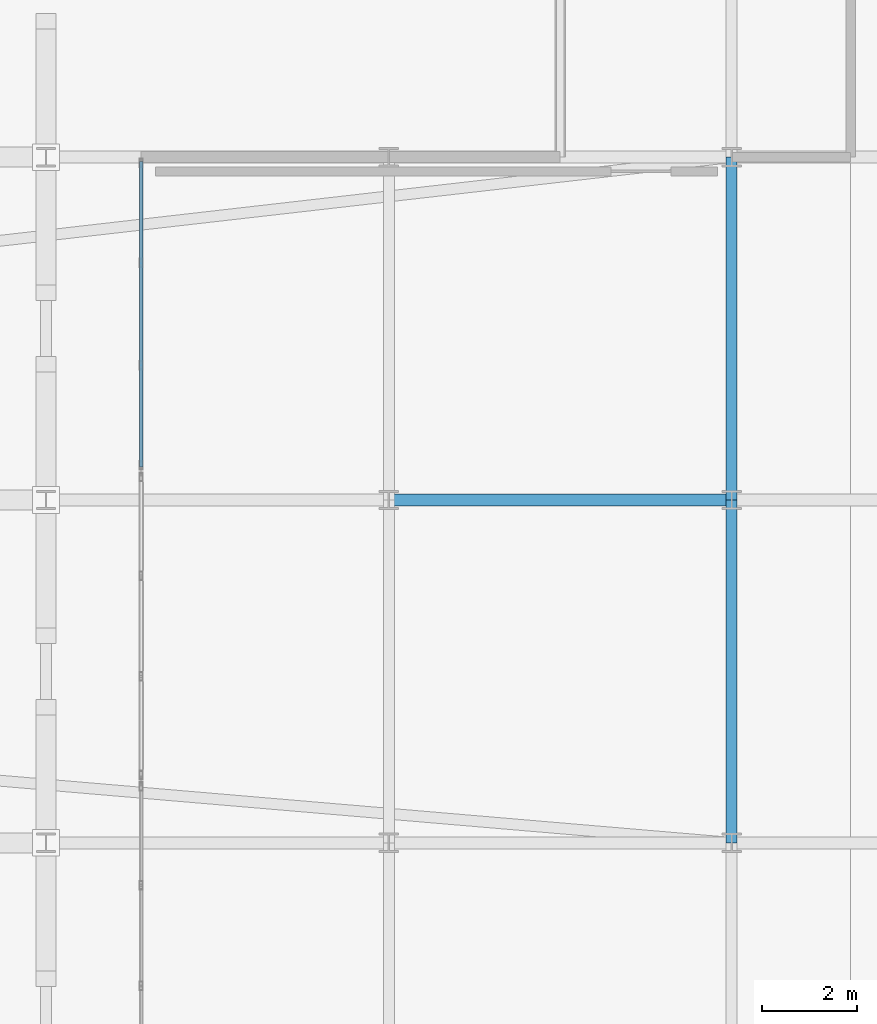
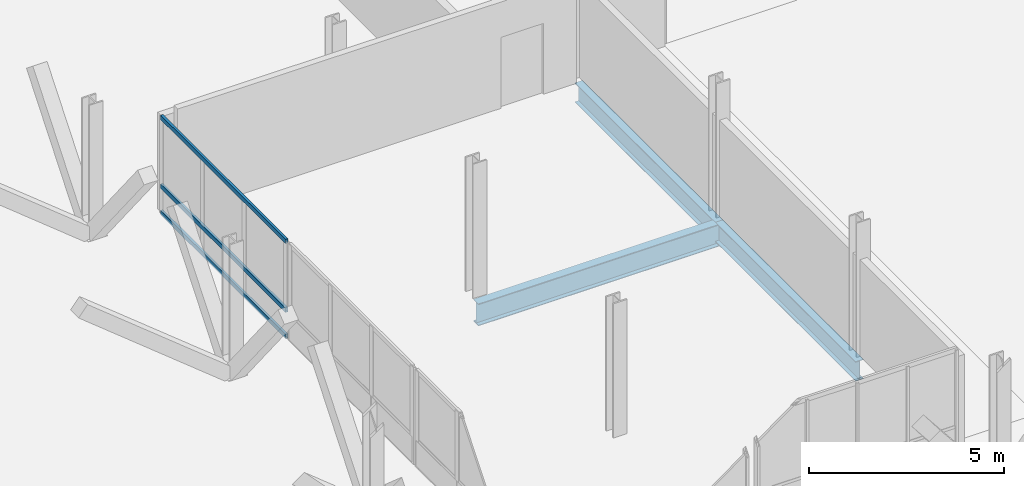
# One storey, part 16 of 102: 3 beams, 3 members, 1 element without a shape of its own.
"""IFC4 building model written with IfcOpenShell, lengths in metres."""

import ifcopenshell
import ifcopenshell.guid

model = None  # the IFC model being written
_history = None  # IfcOwnerHistory: only IFC2X3 demands one
_inside = {}  # id of a spatial element -> (the spatial element, [elements in it])
_under = {}  # id of a project, library or spatial element -> (it, [spatial elements below it])
_declared = {}  # id of a project -> (the project, [libraries it declares])
_typed = {}  # id of a type object -> (the type object, [elements of that type])
_made_of = {}  # id of a material, layer set ... -> (it, [elements and type objects made of it])


def new_model(schema):
    """Start an empty IFC model of exactly this schema.

    Asked for "IFC4X3", IfcOpenShell would pick the latest addendum, in which some entities
    have other attributes; the version numbers below select the first issue.
    IFC2X3 requires an IfcOwnerHistory on every rooted entity: one is made here for all.
    """
    global model, _history
    if schema == "IFC4X3":
        model = ifcopenshell.file(schema_version=(4, 3, 0, 0))
    else:
        model = ifcopenshell.file(schema=schema)
    _inside.clear()
    _under.clear()
    _declared.clear()
    _typed.clear()
    _made_of.clear()
    _history = None
    if model.schema == "IFC2X3":
        org = make("IfcOrganization", Name="unknown")
        user = make(
            "IfcPersonAndOrganization",
            ThePerson=make("IfcPerson", FamilyName="unknown"),
            TheOrganization=org,
        )
        app = make(
            "IfcApplication",
            ApplicationDeveloper=org,
            Version="unknown",
            ApplicationFullName="unknown",
            ApplicationIdentifier="unknown",
        )
        _history = make(
            "IfcOwnerHistory",
            OwningUser=user,
            OwningApplication=app,
            ChangeAction="ADDED",
            CreationDate=0,
        )
    return model


def make(cls, **values):
    """One entity of the class cls with the attributes given. An attribute that is None is left unset."""
    return model.create_entity(
        cls, **{name: value for name, value in values.items() if value is not None}
    )


def rooted(cls, **values):
    """An entity with a GlobalId (a new one), such as an element, a storey or a relation."""
    return make(cls, GlobalId=ifcopenshell.guid.new(), OwnerHistory=_history, **values)


def si_unit(unit_type, name, prefix=None):
    """IfcSIUnit, for example si_unit("LENGTHUNIT", "METRE", prefix="MILLI")."""
    return make("IfcSIUnit", UnitType=unit_type, Prefix=prefix, Name=name)


def assignment(units):
    """IfcUnitAssignment: the units of a project."""
    return None if units is None else make("IfcUnitAssignment", Units=units)


def point(xyz):
    """IfcCartesianPoint."""
    return None if xyz is None else make("IfcCartesianPoint", Coordinates=xyz)


def direction(xyz):
    """IfcDirection."""
    return None if xyz is None else make("IfcDirection", DirectionRatios=xyz)


def frame(location, z_axis=None, x_axis=None):
    """IfcAxis2Placement3D, a coordinate frame: its origin and axes. An axis left out is left unset."""
    return make(
        "IfcAxis2Placement3D",
        Location=point(location),
        Axis=direction(z_axis),
        RefDirection=direction(x_axis),
    )


def frame_2d(location, x_axis=None):
    """IfcAxis2Placement2D, a coordinate frame in the plane: its origin and x axis."""
    return make(
        "IfcAxis2Placement2D", Location=point(location), RefDirection=direction(x_axis)
    )


def origin():
    """The frame at (0, 0, 0) with its axes left unset."""
    return frame((0.0, 0.0, 0.0))


def origin_2d():
    """The frame at (0, 0) in the plane with its x axis left unset."""
    return frame_2d((0.0, 0.0))


def place(relative_to, where):
    """IfcLocalPlacement: puts the frame where relative to a parent placement (None: the world)."""
    return make(
        "IfcLocalPlacement", PlacementRelTo=relative_to, RelativePlacement=where
    )


def context(
    kind, dimensions, precision=None, world=None, true_north=None, identifier=None
):
    """IfcGeometricRepresentationContext, for example the 3D "Model" context."""
    return make(
        "IfcGeometricRepresentationContext",
        ContextIdentifier=identifier,
        ContextType=kind,
        CoordinateSpaceDimension=dimensions,
        Precision=precision,
        WorldCoordinateSystem=world,
        TrueNorth=true_north,
    )


def subcontext(parent, identifier, kind, view, scale=None):
    """IfcGeometricRepresentationSubContext, for example "Body" below "Model"."""
    return make(
        "IfcGeometricRepresentationSubContext",
        ContextIdentifier=identifier,
        ContextType=kind,
        ParentContext=parent,
        TargetScale=scale,
        TargetView=view,
    )


def project(units=None, contexts=None):
    """IfcProject with its units and contexts."""
    return rooted(
        "IfcProject",
        Name="project",
        RepresentationContexts=contexts,
        UnitsInContext=assignment(units),
    )


def spatial(cls, under=None, at=None, **own):
    """A site, building, storey or space (cls), placed at a placement, below another one or the project."""
    s = rooted(cls, ObjectPlacement=at, **own)
    if under is not None:
        _under.setdefault(under.id(), (under, []))[1].append(s)
    return s


def profile(cls, at=None, kind="AREA", **sizes):
    """A parametric profile (cls). Its sizes go by their IFC names, for example OverallWidth=200.0."""
    return make(cls, ProfileType=kind, Position=at, **sizes)


def hollow_rectangle(**sizes):
    """IfcRectangleHollowProfileDef."""
    return profile("IfcRectangleHollowProfileDef", **sizes)


def i_section(**sizes):
    """IfcIShapeProfileDef."""
    return profile("IfcIShapeProfileDef", **sizes)


def extrude(swept, where, along, depth):
    """IfcExtrudedAreaSolid: the profile swept, set in the frame where, extruded along a direction by depth."""
    return make(
        "IfcExtrudedAreaSolid",
        SweptArea=swept,
        Position=where,
        ExtrudedDirection=direction(along),
        Depth=depth,
    )


def shape(context_of_items, identifier, shape_type, items):
    """IfcShapeRepresentation: the items that make up one representation, for example the "Body"."""
    return make(
        "IfcShapeRepresentation",
        ContextOfItems=context_of_items,
        RepresentationIdentifier=identifier,
        RepresentationType=shape_type,
        Items=items,
    )


def material(Name=None, Category=None):
    """IfcMaterial."""
    return make("IfcMaterial", Name=Name, Category=Category)


def material_profile(
    of_material, cross_section, Name=None, Category=None, Priority=None
):
    """IfcMaterialProfile: a cross section and its material."""
    return make(
        "IfcMaterialProfile",
        Name=Name,
        Material=of_material,
        Profile=cross_section,
        Priority=Priority,
        Category=Category,
    )


def profile_set(profiles, Name=None, composite=None):
    """IfcMaterialProfileSet."""
    return make(
        "IfcMaterialProfileSet",
        Name=Name,
        MaterialProfiles=profiles,
        CompositeProfile=composite,
    )


def made_of(thing, what):
    """Note that an element or type object is made of a material, layer set ...; save() writes the relation."""
    if what is not None:
        _made_of.setdefault(what.id(), (what, []))[1].append(thing)
    return thing


def type_object(cls, material=None, **own):
    """A type object (cls), such as IfcWallType, which elements share."""
    return made_of(rooted(cls, **own), material)


def element(
    cls,
    number,
    at=None,
    inside=None,
    cuts=None,
    type_object=None,
    material=None,
    context=None,
    identifier="Body",
    shape_type=None,
    held_by="IfcProductDefinitionShape",
    body=None,
    shapes=None,
    **own,
):
    """One element of the class cls, such as IfcWall. Its Tag is "e" and its number.

    at: its placement. inside: the storey or other place that contains it. cuts: it is an
    opening in that element (IfcRelVoidsElement). A single representation is given by context,
    identifier, shape_type and body (its items); several are given by shapes. held_by: the class
    of the entity that holds the representations. save() writes the other relations.
    """
    e = rooted(cls, Tag="e%d" % number, ObjectPlacement=at, **own)
    if body is not None:
        shapes = [shape(context, identifier, shape_type, body)]
    if shapes is not None:
        e.Representation = make(held_by, Representations=shapes)
    if inside is not None:
        _inside.setdefault(inside.id(), (inside, []))[1].append(e)
    if cuts is not None:
        rooted(
            "IfcRelVoidsElement", RelatingBuildingElement=cuts, RelatedOpeningElement=e
        )
    if type_object is not None:
        _typed.setdefault(type_object.id(), (type_object, []))[1].append(e)
    return made_of(e, material)


def aggregate(whole, parts):
    """IfcRelAggregates: a whole, such as a stair, and the parts it consists of."""
    return rooted("IfcRelAggregates", RelatingObject=whole, RelatedObjects=parts)


def save(model, path):
    """Write the relations noted so far, then the file.

    IfcRelAggregates (storeys below a building ...), IfcRelContainedInSpatialStructure (elements
    in a storey), IfcRelDefinesByType, IfcRelAssociatesMaterial and IfcRelDeclares: one each for
    every whole, place, type object, material and project.
    """
    for whole, parts in _under.values():
        aggregate(whole, parts)
    for where, things in _inside.values():
        rooted(
            "IfcRelContainedInSpatialStructure",
            RelatedElements=things,
            RelatingStructure=where,
        )
    for kind, things in _typed.values():
        rooted("IfcRelDefinesByType", RelatedObjects=things, RelatingType=kind)
    for what, things in _made_of.values():
        rooted("IfcRelAssociatesMaterial", RelatedObjects=things, RelatingMaterial=what)
    for by, libraries in _declared.values():
        rooted("IfcRelDeclares", RelatingContext=by, RelatedDefinitions=libraries)
    model.write(path)


model = new_model("IFC4")

# Units and contexts
model_context = context("Model", 3, precision=1e-05, world=origin(), true_north=direction((0.0, 1.0)))
body_context = subcontext(model_context, "Body", "Model", "MODEL_VIEW")
ifc_project = project(units=[si_unit("LENGTHUNIT", "METRE"), si_unit("AREAUNIT", "SQUARE_METRE"), si_unit("VOLUMEUNIT", "CUBIC_METRE"), si_unit("PLANEANGLEUNIT", "RADIAN"), si_unit("MASSUNIT", "GRAM", prefix="KILO")], contexts=[model_context])

# Site, building, storey
site_placement = place(None, origin())
site = spatial("IfcSite", under=ifc_project, at=site_placement, CompositionType="ELEMENT")
building_placement = place(site_placement, origin())
building = spatial("IfcBuilding", under=site, at=building_placement, Name="Yarey Park Central Fire Station", CompositionType="ELEMENT")
storey_placement = place(building_placement, frame((0.0, 0.0, 6.0)))
storey = spatial("IfcBuildingStorey", under=building, at=storey_placement, Name="L02", CompositionType="ELEMENT", Elevation=6.0)

# Curtain wall, members
ifc_material_1 = material(Name="Anodized Aluminium Frame", Category="aluminium")
curtain_wall_type = type_object("IfcCurtainWallType", Name="ENV_CW_V3_GALW", PredefinedType="NOTDEFINED", material=ifc_material_1)
curtain_wall_placement = place(storey_placement, origin())
curtain_wall = element("IfcCurtainWall", 1, at=curtain_wall_placement, inside=storey, type_object=curtain_wall_type, Name="CW_L02_V1_W_032", PredefinedType="NOTDEFINED")
ifc_material_profile_1 = material_profile(ifc_material_1, hollow_rectangle(XDim=0.070068359375, YDim=0.139892578125, WallThickness=0.00390625, at=origin_2d()), Name="ALU 140x70x4")
ifc_profile_set_1 = profile_set([ifc_material_profile_1], Name="Anodized Aluminium Frame")
member_type = type_object("IfcMemberType", Name="ENV_CW_TRANSOM", PredefinedType="USERDEFINED", material=ifc_profile_set_1)
member_1_placement = place(storey_placement, frame((16.39990234375, 43.10498046875, 0.02490234375), z_axis=(0.0, -1.0, 0.0), x_axis=(1.0, 0.0, 0.0)))
member_1 = element("IfcMember", 2, at=member_1_placement, type_object=member_type, Name="CW_L02_V1_W_032_TRN1", ObjectType="TRANSOM", PredefinedType="USERDEFINED", context=body_context, shape_type="SweptSolid", body=[
    extrude(hollow_rectangle(XDim=0.070068359375, YDim=0.139892578125, WallThickness=0.00390625, at=origin_2d()), origin(), (0.0, 0.0, 1.0), 6.409912109375),
])
member_2_placement = place(storey_placement, frame((16.39990234375, 43.10498046875, 0.85009765625), z_axis=(0.0, -1.0, 0.0), x_axis=(1.0, 0.0, 0.0)))
member_2 = element("IfcMember", 3, at=member_2_placement, type_object=member_type, Name="CW_L02_V1_W_032_TRN2", ObjectType="TRANSOM", PredefinedType="USERDEFINED", context=body_context, shape_type="SweptSolid", body=[
    extrude(hollow_rectangle(XDim=0.070068359375, YDim=0.139892578125, WallThickness=0.00390625, at=origin_2d()), origin(), (0.0, 0.0, 1.0), 6.409912109375),
])
member_3_placement = place(storey_placement, frame((16.39990234375, 43.10498046875, 3.0029296875), z_axis=(0.0, -1.0, 0.0), x_axis=(1.0, 0.0, 0.0)))
member_3 = element("IfcMember", 4, at=member_3_placement, type_object=member_type, Name="CW_L02_V1_W_032_TRN3", ObjectType="TRANSOM", PredefinedType="USERDEFINED", context=body_context, shape_type="SweptSolid", body=[
    extrude(hollow_rectangle(XDim=0.070068359375, YDim=0.139892578125, WallThickness=0.00390625, at=origin_2d()), origin(), (0.0, 0.0, 1.0), 6.409912109375),
])
aggregate(curtain_wall, [member_1, member_2, member_3])

# Beams
ifc_material_2 = material(Name="Steel ASTM A992 Gr. 50", Category="steel")
ifc_material_profile_2 = material_profile(ifc_material_2, i_section(OverallWidth=0.22900390625, OverallDepth=0.612060546875, WebThickness=0.011962890625, FlangeThickness=0.01953125, at=origin_2d()), Name="W610x125")
ifc_profile_set_2 = profile_set([ifc_material_profile_2], Name="Steel ASTM A992 Gr. 50")
beam_type_1 = type_object("IfcBeamType", Name="STR_BM_W610", PredefinedType="BEAM", material=ifc_profile_set_2)
for number, where, z_axis, x_axis, name in (
    (5, (28.800048828125, 28.800048828125, -0.591064453125), (0.0, 1.0, 0.0), (-1.0, 0.0, 0.0), "BMY L02 X288 Y288"),
    (6, (28.800048828125, 36.0, -0.591064453125), (0.0, 1.0, 0.0), (-1.0, 0.0, 0.0), "BMY L02 X288 Y360"),
):
    element("IfcBeam", number, at=place(storey_placement, frame(where, z_axis=z_axis, x_axis=x_axis)), inside=storey, type_object=beam_type_1, Name=name, PredefinedType="BEAM", context=body_context, shape_type="SweptSolid", body=[
        extrude(i_section(OverallWidth=0.22900390625, OverallDepth=0.612060546875, WebThickness=0.011962890625, FlangeThickness=0.01953125, at=origin_2d()), origin(), (0.0, 0.0, 1.0), 7.199951171875),
    ])
ifc_material_profile_3 = material_profile(ifc_material_2, i_section(OverallWidth=0.256103515625, OverallDepth=0.693115234375, WebThickness=0.014404296875, FlangeThickness=0.023681640625, at=origin_2d()), Name="W690x170")
ifc_profile_set_3 = profile_set([ifc_material_profile_3], Name="Steel ASTM A992 Gr. 50")
beam_type_2 = type_object("IfcBeamType", Name="STR_BM_W690", PredefinedType="BEAM", material=ifc_profile_set_3)
beam_placement = place(storey_placement, frame((21.60009765625, 36.0, -0.631591796875), z_axis=(1.0, 0.0, 0.0), x_axis=(0.0, 1.0, 0.0)))
element("IfcBeam", 7, at=beam_placement, inside=storey, type_object=beam_type_2, Name="DRUM L02 G2 Y360", PredefinedType="BEAM", context=body_context, shape_type="SweptSolid", body=[
    extrude(i_section(OverallWidth=0.256103515625, OverallDepth=0.693115234375, WebThickness=0.014404296875, FlangeThickness=0.023681640625, at=origin_2d()), origin(), (0.0, 0.0, 1.0), 7.199951171875),
])

save(model, "model.ifc")
